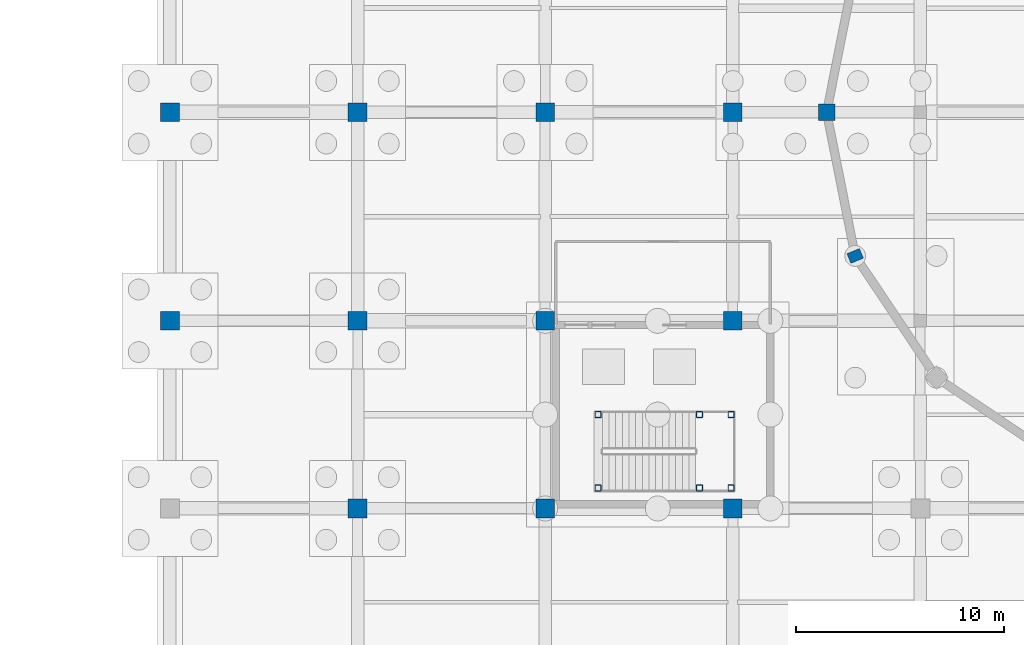
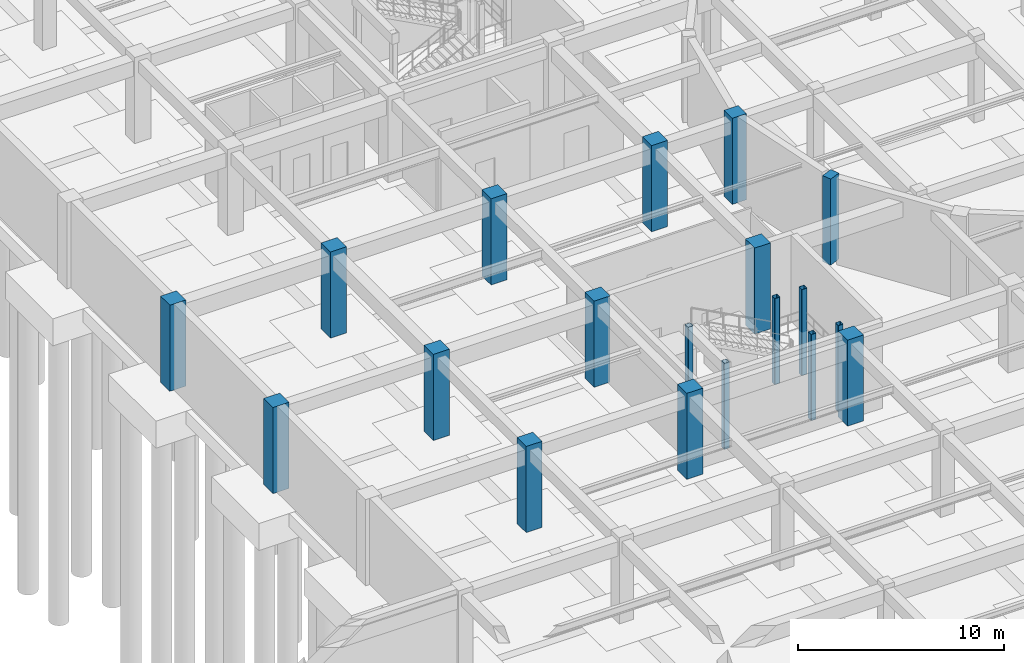
# One storey, part 14 of 62: 19 columns.
"""IFC4 building model written with IfcOpenShell, lengths in metres."""

import ifcopenshell
import ifcopenshell.guid

model = None  # the IFC model being written
_history = None  # IfcOwnerHistory: only IFC2X3 demands one
_inside = {}  # id of a spatial element -> (the spatial element, [elements in it])
_under = {}  # id of a project, library or spatial element -> (it, [spatial elements below it])
_declared = {}  # id of a project -> (the project, [libraries it declares])
_typed = {}  # id of a type object -> (the type object, [elements of that type])
_made_of = {}  # id of a material, layer set ... -> (it, [elements and type objects made of it])


def new_model(schema):
    """Start an empty IFC model of exactly this schema.

    Asked for "IFC4X3", IfcOpenShell would pick the latest addendum, in which some entities
    have other attributes; the version numbers below select the first issue.
    IFC2X3 requires an IfcOwnerHistory on every rooted entity: one is made here for all.
    """
    global model, _history
    if schema == "IFC4X3":
        model = ifcopenshell.file(schema_version=(4, 3, 0, 0))
    else:
        model = ifcopenshell.file(schema=schema)
    _inside.clear()
    _under.clear()
    _declared.clear()
    _typed.clear()
    _made_of.clear()
    _history = None
    if model.schema == "IFC2X3":
        org = make("IfcOrganization", Name="unknown")
        user = make(
            "IfcPersonAndOrganization",
            ThePerson=make("IfcPerson", FamilyName="unknown"),
            TheOrganization=org,
        )
        app = make(
            "IfcApplication",
            ApplicationDeveloper=org,
            Version="unknown",
            ApplicationFullName="unknown",
            ApplicationIdentifier="unknown",
        )
        _history = make(
            "IfcOwnerHistory",
            OwningUser=user,
            OwningApplication=app,
            ChangeAction="ADDED",
            CreationDate=0,
        )
    return model


def make(cls, **values):
    """One entity of the class cls with the attributes given. An attribute that is None is left unset."""
    return model.create_entity(
        cls, **{name: value for name, value in values.items() if value is not None}
    )


def rooted(cls, **values):
    """An entity with a GlobalId (a new one), such as an element, a storey or a relation."""
    return make(cls, GlobalId=ifcopenshell.guid.new(), OwnerHistory=_history, **values)


def si_unit(unit_type, name, prefix=None):
    """IfcSIUnit, for example si_unit("LENGTHUNIT", "METRE", prefix="MILLI")."""
    return make("IfcSIUnit", UnitType=unit_type, Prefix=prefix, Name=name)


def assignment(units):
    """IfcUnitAssignment: the units of a project."""
    return None if units is None else make("IfcUnitAssignment", Units=units)


def point(xyz):
    """IfcCartesianPoint."""
    return None if xyz is None else make("IfcCartesianPoint", Coordinates=xyz)


def direction(xyz):
    """IfcDirection."""
    return None if xyz is None else make("IfcDirection", DirectionRatios=xyz)


def frame(location, z_axis=None, x_axis=None):
    """IfcAxis2Placement3D, a coordinate frame: its origin and axes. An axis left out is left unset."""
    return make(
        "IfcAxis2Placement3D",
        Location=point(location),
        Axis=direction(z_axis),
        RefDirection=direction(x_axis),
    )


def frame_2d(location, x_axis=None):
    """IfcAxis2Placement2D, a coordinate frame in the plane: its origin and x axis."""
    return make(
        "IfcAxis2Placement2D", Location=point(location), RefDirection=direction(x_axis)
    )


def origin():
    """The frame at (0, 0, 0) with its axes left unset."""
    return frame((0.0, 0.0, 0.0))


def origin_2d():
    """The frame at (0, 0) in the plane with its x axis left unset."""
    return frame_2d((0.0, 0.0))


def place(relative_to, where):
    """IfcLocalPlacement: puts the frame where relative to a parent placement (None: the world)."""
    return make(
        "IfcLocalPlacement", PlacementRelTo=relative_to, RelativePlacement=where
    )


def context(
    kind, dimensions, precision=None, world=None, true_north=None, identifier=None
):
    """IfcGeometricRepresentationContext, for example the 3D "Model" context."""
    return make(
        "IfcGeometricRepresentationContext",
        ContextIdentifier=identifier,
        ContextType=kind,
        CoordinateSpaceDimension=dimensions,
        Precision=precision,
        WorldCoordinateSystem=world,
        TrueNorth=true_north,
    )


def subcontext(parent, identifier, kind, view, scale=None):
    """IfcGeometricRepresentationSubContext, for example "Body" below "Model"."""
    return make(
        "IfcGeometricRepresentationSubContext",
        ContextIdentifier=identifier,
        ContextType=kind,
        ParentContext=parent,
        TargetScale=scale,
        TargetView=view,
    )


def project(units=None, contexts=None):
    """IfcProject with its units and contexts."""
    return rooted(
        "IfcProject",
        Name="project",
        RepresentationContexts=contexts,
        UnitsInContext=assignment(units),
    )


def spatial(cls, under=None, at=None, **own):
    """A site, building, storey or space (cls), placed at a placement, below another one or the project."""
    s = rooted(cls, ObjectPlacement=at, **own)
    if under is not None:
        _under.setdefault(under.id(), (under, []))[1].append(s)
    return s


def profile(cls, at=None, kind="AREA", **sizes):
    """A parametric profile (cls). Its sizes go by their IFC names, for example OverallWidth=200.0."""
    return make(cls, ProfileType=kind, Position=at, **sizes)


def rectangle(**sizes):
    """IfcRectangleProfileDef."""
    return profile("IfcRectangleProfileDef", **sizes)


def hollow_rectangle(**sizes):
    """IfcRectangleHollowProfileDef."""
    return profile("IfcRectangleHollowProfileDef", **sizes)


def extrude(swept, where, along, depth):
    """IfcExtrudedAreaSolid: the profile swept, set in the frame where, extruded along a direction by depth."""
    return make(
        "IfcExtrudedAreaSolid",
        SweptArea=swept,
        Position=where,
        ExtrudedDirection=direction(along),
        Depth=depth,
    )


def shape(context_of_items, identifier, shape_type, items):
    """IfcShapeRepresentation: the items that make up one representation, for example the "Body"."""
    return make(
        "IfcShapeRepresentation",
        ContextOfItems=context_of_items,
        RepresentationIdentifier=identifier,
        RepresentationType=shape_type,
        Items=items,
    )


def material(Name=None, Category=None):
    """IfcMaterial."""
    return make("IfcMaterial", Name=Name, Category=Category)


def material_profile(
    of_material, cross_section, Name=None, Category=None, Priority=None
):
    """IfcMaterialProfile: a cross section and its material."""
    return make(
        "IfcMaterialProfile",
        Name=Name,
        Material=of_material,
        Profile=cross_section,
        Priority=Priority,
        Category=Category,
    )


def profile_set(profiles, Name=None, composite=None):
    """IfcMaterialProfileSet."""
    return make(
        "IfcMaterialProfileSet",
        Name=Name,
        MaterialProfiles=profiles,
        CompositeProfile=composite,
    )


def made_of(thing, what):
    """Note that an element or type object is made of a material, layer set ...; save() writes the relation."""
    if what is not None:
        _made_of.setdefault(what.id(), (what, []))[1].append(thing)
    return thing


def type_object(cls, material=None, **own):
    """A type object (cls), such as IfcWallType, which elements share."""
    return made_of(rooted(cls, **own), material)


def element(
    cls,
    number,
    at=None,
    inside=None,
    cuts=None,
    type_object=None,
    material=None,
    context=None,
    identifier="Body",
    shape_type=None,
    held_by="IfcProductDefinitionShape",
    body=None,
    shapes=None,
    **own,
):
    """One element of the class cls, such as IfcWall. Its Tag is "e" and its number.

    at: its placement. inside: the storey or other place that contains it. cuts: it is an
    opening in that element (IfcRelVoidsElement). A single representation is given by context,
    identifier, shape_type and body (its items); several are given by shapes. held_by: the class
    of the entity that holds the representations. save() writes the other relations.
    """
    e = rooted(cls, Tag="e%d" % number, ObjectPlacement=at, **own)
    if body is not None:
        shapes = [shape(context, identifier, shape_type, body)]
    if shapes is not None:
        e.Representation = make(held_by, Representations=shapes)
    if inside is not None:
        _inside.setdefault(inside.id(), (inside, []))[1].append(e)
    if cuts is not None:
        rooted(
            "IfcRelVoidsElement", RelatingBuildingElement=cuts, RelatedOpeningElement=e
        )
    if type_object is not None:
        _typed.setdefault(type_object.id(), (type_object, []))[1].append(e)
    return made_of(e, material)


def aggregate(whole, parts):
    """IfcRelAggregates: a whole, such as a stair, and the parts it consists of."""
    return rooted("IfcRelAggregates", RelatingObject=whole, RelatedObjects=parts)


def save(model, path):
    """Write the relations noted so far, then the file.

    IfcRelAggregates (storeys below a building ...), IfcRelContainedInSpatialStructure (elements
    in a storey), IfcRelDefinesByType, IfcRelAssociatesMaterial and IfcRelDeclares: one each for
    every whole, place, type object, material and project.
    """
    for whole, parts in _under.values():
        aggregate(whole, parts)
    for where, things in _inside.values():
        rooted(
            "IfcRelContainedInSpatialStructure",
            RelatedElements=things,
            RelatingStructure=where,
        )
    for kind, things in _typed.values():
        rooted("IfcRelDefinesByType", RelatedObjects=things, RelatingType=kind)
    for what, things in _made_of.values():
        rooted("IfcRelAssociatesMaterial", RelatedObjects=things, RelatingMaterial=what)
    for by, libraries in _declared.values():
        rooted("IfcRelDeclares", RelatingContext=by, RelatedDefinitions=libraries)
    model.write(path)


model = new_model("IFC4")

# Units and contexts
model_context = context("Model", 3, precision=1e-05, world=origin(), true_north=direction((0.0, 1.0)))
body_context = subcontext(model_context, "Body", "Model", "MODEL_VIEW")
ifc_project = project(units=[si_unit("LENGTHUNIT", "METRE"), si_unit("AREAUNIT", "SQUARE_METRE"), si_unit("VOLUMEUNIT", "CUBIC_METRE"), si_unit("PLANEANGLEUNIT", "RADIAN"), si_unit("MASSUNIT", "GRAM", prefix="KILO")], contexts=[model_context])

# Site, building, storey
site_placement = place(None, origin())
site = spatial("IfcSite", under=ifc_project, at=site_placement, CompositionType="ELEMENT")
building_placement = place(site_placement, origin())
building = spatial("IfcBuilding", under=site, at=building_placement, Name="Miravela Opera House", CompositionType="ELEMENT")
storey_placement = place(building_placement, frame((0.0, 0.0, -5.10009765625)))
storey = spatial("IfcBuildingStorey", under=building, at=storey_placement, Name="B01", CompositionType="ELEMENT", Elevation=-5.10009765625)

# Columns
ifc_material_1 = material(Name="Hollow structural steel ASTM A500 Gr. C", Category="steel")
ifc_material_profile_1 = material_profile(ifc_material_1, hollow_rectangle(XDim=0.300048828125, YDim=0.300048828125, WallThickness=0.01611328125, InnerFilletRadius=0.01611328125, OuterFilletRadius=0.031982421875, at=origin_2d()), Name="HSS300X300X16")
ifc_profile_set_1 = profile_set([ifc_material_profile_1])
column_type_1 = type_object("IfcColumnType", Name="STR-COL-HSS300", PredefinedType="COLUMN", material=ifc_profile_set_1)
for number, where, z_axis, x_axis, name in (
    (1, (47.5400390625, 37.97998046875, 0.0), (0.0, 0.0, 1.0), (1.0, 0.0, 0.0), "Stair K2 Landing Support Column 1 (B01)"),
    (2, (47.5400390625, 41.5, 0.0), (0.0, 0.0, 1.0), (1.0, 0.0, 0.0), "Stair K2 Landing Support Column 2 (B01)"),
    (3, (52.39990234375, 37.97998046875, 0.0), (0.0, 0.0, 1.0), (1.0, 0.0, 0.0), "Stair K2 Landing Support Column 3 (B01)"),
    (4, (52.39990234375, 41.5, 0.0), (0.0, 0.0, 1.0), (1.0, 0.0, 0.0), "Stair K2 Landing Support Column 4 (B01)"),
    (5, (53.919921875, 37.97998046875, 0.0), (0.0, 0.0, 1.0), (1.0, 0.0, 0.0), "Stair K2 Landing Support Column 5 (B01)"),
    (6, (53.919921875, 41.5, 0.0), (0.0, 0.0, 1.0), (1.0, 0.0, 0.0), "Stair K2 Landing Support Column 6 (B01)"),
):
    element("IfcColumn", number, at=place(storey_placement, frame(where, z_axis=z_axis, x_axis=x_axis)), inside=storey, type_object=column_type_1, Name=name, PredefinedType="COLUMN", context=body_context, shape_type="SweptSolid", body=[
        extrude(hollow_rectangle(XDim=0.300048828125, YDim=0.300048828125, WallThickness=0.01611328125, InnerFilletRadius=0.01611328125, OuterFilletRadius=0.031982421875, at=origin_2d()), origin(), (0.0, 0.0, 1.0), 5.10009765625),
    ])
ifc_material_2 = material(Name="Concrete C40/50", Category="concrete")
ifc_material_profile_2 = material_profile(ifc_material_2, rectangle(XDim=0.89990234375, YDim=0.89990234375, at=origin_2d()), Name="RC-COL-900X900")
ifc_profile_set_2 = profile_set([ifc_material_profile_2])
column_type_2 = type_object("IfcColumnType", Name="STR-COL-RC900", PredefinedType="COLUMN", material=ifc_profile_set_2)
for number, where, z_axis, x_axis, name in (
    (7, (27.0, 46.0, 0.0), (0.0, 0.0, 1.0), (1.0, 0.0, 0.0), "Column C-4F (B01)"),
    (8, (27.0, 56.0, 0.0), (0.0, 0.0, 1.0), (1.0, 0.0, 0.0), "Column C-4G (B01)"),
    (9, (36.0, 37.0, 0.0), (0.0, 0.0, 1.0), (1.0, 0.0, 0.0), "Column C-5E (B01)"),
    (10, (36.0, 46.0, 0.0), (0.0, 0.0, 1.0), (1.0, 0.0, 0.0), "Column C-5F (B01)"),
    (11, (36.0, 56.0, 0.0), (0.0, 0.0, 1.0), (1.0, 0.0, 0.0), "Column C-5G (B01)"),
    (12, (45.0, 37.0, 0.0), (0.0, 0.0, 1.0), (1.0, 0.0, 0.0), "Column C-6E (B01)"),
    (13, (45.0, 46.0, 0.0), (0.0, 0.0, 1.0), (1.0, 0.0, 0.0), "Column C-6F (B01)"),
    (14, (45.0, 56.0, 0.0), (0.0, 0.0, 1.0), (1.0, 0.0, 0.0), "Column C-6G (B01)"),
    (15, (54.0, 37.0, 0.0), (0.0, 0.0, 1.0), (1.0, 0.0, 0.0), "Column C-7E (B01)"),
    (16, (54.0, 46.0, 0.0), (0.0, 0.0, 1.0), (1.0, 0.0, 0.0), "Column C-7F (B01)"),
    (17, (54.0, 56.0, 0.0), (0.0, 0.0, 1.0), (1.0, 0.0, 0.0), "Column C-7G (B01)"),
):
    element("IfcColumn", number, at=place(storey_placement, frame(where, z_axis=z_axis, x_axis=x_axis)), inside=storey, type_object=column_type_2, Name=name, PredefinedType="COLUMN", context=body_context, shape_type="SweptSolid", body=[
        extrude(rectangle(XDim=0.89990234375, YDim=0.89990234375, at=origin_2d()), origin(), (0.0, 0.0, 1.0), 5.10009765625),
    ])
ifc_material_3 = material(Name="Concrete C35/45", Category="concrete")
ifc_material_profile_3 = material_profile(ifc_material_3, rectangle(XDim=0.64990234375, YDim=0.5, at=origin_2d()), Name="RC-PIL-650X500")
ifc_profile_set_3 = profile_set([ifc_material_profile_3])
column_type_3 = type_object("IfcColumnType", Name="STR-PIL-RC650X500", PredefinedType="PILASTER", material=ifc_profile_set_3)
column_1_placement = place(storey_placement, frame((59.8701171875, 49.11181640625, 0.0), z_axis=(0.0, 0.0, 1.0), x_axis=(-0.923879532511, -0.382683432365, 0.0)))
element("IfcColumn", 18, at=column_1_placement, inside=storey, type_object=column_type_3, Name="Auditorium Drum Column DC-10 (B01)", PredefinedType="PILASTER", context=body_context, shape_type="SweptSolid", body=[
    extrude(rectangle(XDim=0.64990234375, YDim=0.5, at=origin_2d()), origin(), (0.0, 0.0, 1.0), 5.10009765625),
])
ifc_material_profile_4 = material_profile(ifc_material_2, rectangle(XDim=0.800048828125, YDim=0.800048828125, at=origin_2d()), Name="RC-COL-800X800")
ifc_profile_set_4 = profile_set([ifc_material_profile_4])
column_type_4 = type_object("IfcColumnType", Name="STR-PIL-RC800", PredefinedType="PILASTER", material=ifc_profile_set_4)
column_2_placement = place(storey_placement, frame((58.5, 56.0, 0.0), z_axis=(0.0, 0.0, 1.0), x_axis=(-1.0, 0.0, 0.0)))
element("IfcColumn", 19, at=column_2_placement, inside=storey, type_object=column_type_4, Name="Auditorium Drum Column DC-09 (B01)", PredefinedType="PILASTER", context=body_context, shape_type="SweptSolid", body=[
    extrude(rectangle(XDim=0.800048828125, YDim=0.800048828125, at=origin_2d()), origin(), (0.0, 0.0, 1.0), 5.10009765625),
])

save(model, "model.ifc")
